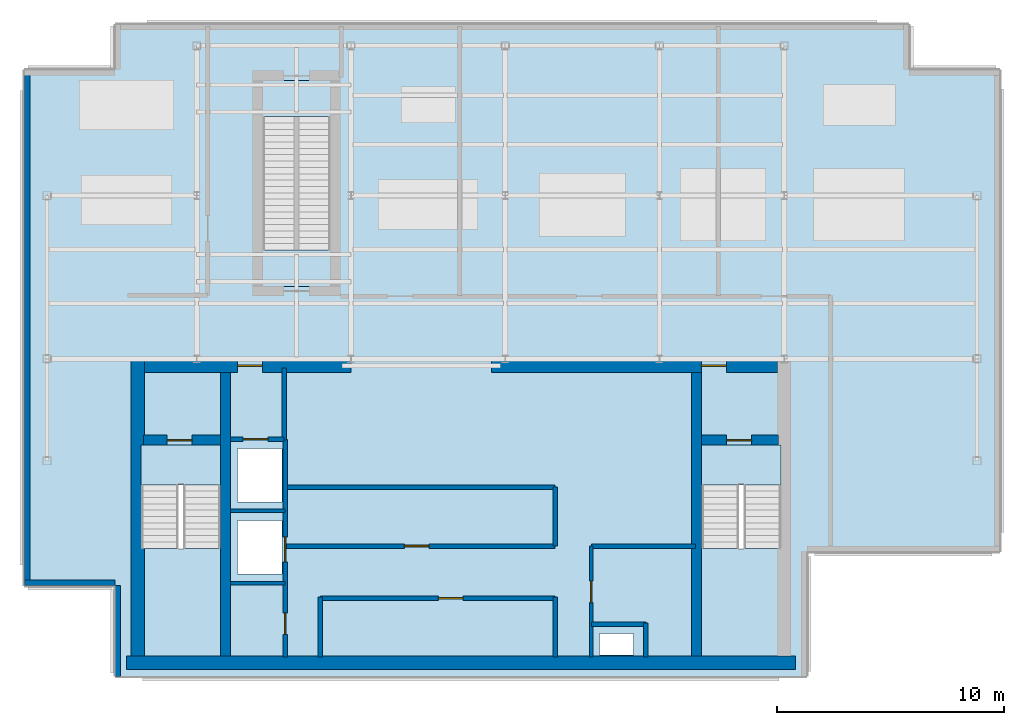
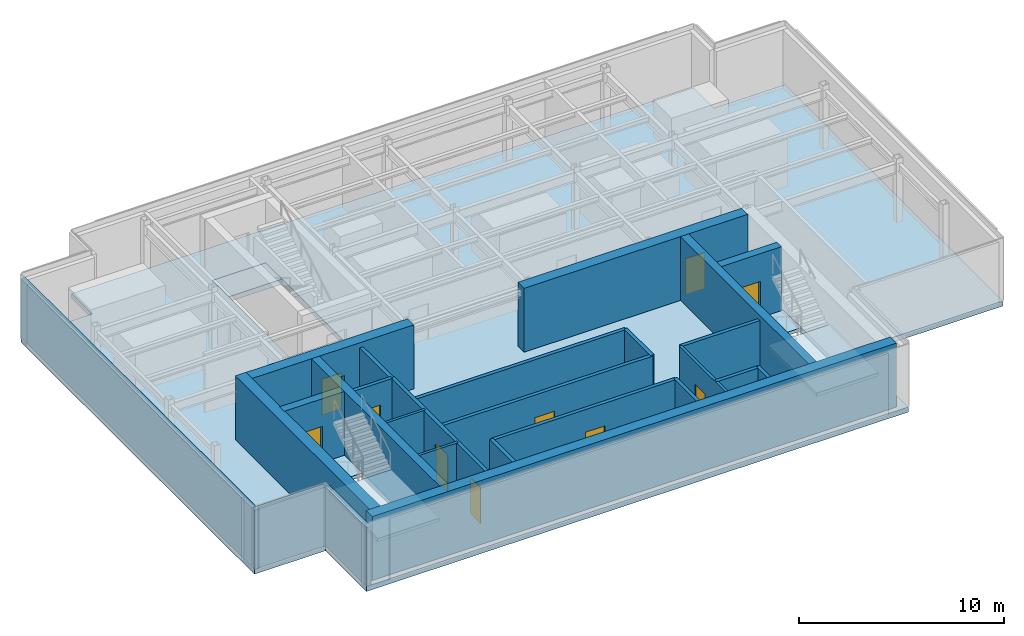
# One storey, part 2 of 7: 26 walls, 10 doors, 7 slabs, 10 openings, 2 elements without a shape of their own.
"""IFC4 building model written with IfcOpenShell, lengths in metres."""

from ifc_helpers import new_model, si_unit, derived_unit, direction, frame, frame_2d, origin, place, context, subcontext, project, spatial, polyline, rectangle, outline, extrude, source, transform, mapped, material, layer, layer_set, type_object, element, fill, aggregate, save


model = new_model("IFC4")

# Units and contexts
model_context = context("Model", 3, precision=1e-05, world=origin(), true_north=direction((0.0, 1.0)))
body_context = subcontext(model_context, "Body", "Model", "MODEL_VIEW")
ifc_project = project(units=[si_unit("LENGTHUNIT", "METRE"), si_unit("AREAUNIT", "SQUARE_METRE"), si_unit("VOLUMEUNIT", "CUBIC_METRE"), si_unit("PLANEANGLEUNIT", "RADIAN"), si_unit("MASSUNIT", "GRAM", prefix="KILO"), derived_unit("THERMALTRANSMITTANCEUNIT", [(si_unit("POWERUNIT", "WATT"), 1), (si_unit("LENGTHUNIT", "METRE"), -2), (si_unit("THERMODYNAMICTEMPERATUREUNIT", "KELVIN"), -1)])], contexts=[model_context])

# Site, building, storey
site_placement = place(None, origin())
site = spatial("IfcSite", under=ifc_project, at=site_placement, CompositionType="ELEMENT")
building_placement = place(site_placement, origin())
building = spatial("IfcBuilding", under=site, at=building_placement, Name="Skarnbrae Concourse Arena and Tower", CompositionType="ELEMENT")
storey_placement = place(building_placement, frame((0.0, 0.0, 303.64990234375)))
storey = spatial("IfcBuildingStorey", under=building, at=storey_placement, Name="L79", CompositionType="ELEMENT", Elevation=303.64990234375)

# Stair, slab
ifc_material_1 = material(Name="Concrete 40 MPa (C40/50)", Category="concrete")
stair_type = type_object("IfcStairType", Name="STAIR-DOGLEG-1650", PredefinedType="HALF_TURN_STAIR", material=ifc_material_1)
stair_1_placement = place(storey_placement, origin())
stair_1 = element("IfcStair", 1, at=stair_1_placement, inside=storey, type_object=stair_type, Name="L79 Protected Exit Stair ST-1", PredefinedType="HALF_TURN_STAIR")
ifc_layer_1 = layer(ifc_material_1, 0.199951171875)
ifc_layer_set_1 = layer_set([ifc_layer_1], Name="Concrete 40 MPa (C40/50)")
slab_type_1 = type_object("IfcSlabType", Name="SLAB-LANDING-200", PredefinedType="LANDING", material=ifc_layer_set_1)
slab_1_placement = place(storey_placement, frame((0.0, 0.0, 1.7001953125)))
slab_1 = element("IfcSlab", 2, at=slab_1_placement, type_object=slab_type_1, Name="ST-1 landing 1", PredefinedType="LANDING", context=body_context, shape_type="SweptSolid", body=[
    extrude(outline(polyline([(5.14990234375, 5.64990234375), (5.14990234375, 0.89990234375), (8.64990234375, 0.89990234375), (8.64990234375, 5.64990234375), (5.14990234375, 5.64990234375)])), origin(), (0.0, 0.0, 1.0), 0.199951171875),
])
aggregate(stair_1, [slab_1])

stair_2_placement = place(storey_placement, origin())
stair_2 = element("IfcStair", 3, at=stair_2_placement, inside=storey, type_object=stair_type, Name="L79 Protected Exit Stair ST-2", PredefinedType="HALF_TURN_STAIR")
slab_2_placement = place(storey_placement, frame((0.0, 0.0, 1.7001953125)))
slab_2 = element("IfcSlab", 4, at=slab_2_placement, type_object=slab_type_1, Name="ST-2 landing 1", PredefinedType="LANDING", context=body_context, shape_type="SweptSolid", body=[
    extrude(outline(polyline([(29.85009765625, 5.64990234375), (29.85009765625, 0.89990234375), (33.35009765625, 0.89990234375), (33.35009765625, 5.64990234375), (29.85009765625, 5.64990234375)])), origin(), (0.0, 0.0, 1.0), 0.199951171875),
])
aggregate(stair_2, [slab_2])

# Slabs
slab_3_placement = place(storey_placement, frame((0.0, 0.0, -0.199951171875)))
element("IfcSlab", 5, at=slab_3_placement, inside=storey, type_object=slab_type_1, Name="L79 Core stair ST1 floor landing", PredefinedType="LANDING", context=body_context, shape_type="SweptSolid", body=[
    extrude(outline(polyline([(5.14990234375, 10.199951171875), (5.14990234375, 8.449951171875), (8.64990234375, 8.449951171875), (8.64990234375, 10.199951171875), (5.14990234375, 10.199951171875)])), origin(), (0.0, 0.0, 1.0), 0.199951171875),
])
slab_4_placement = place(storey_placement, frame((0.0, 0.0, -0.199951171875)))
element("IfcSlab", 6, at=slab_4_placement, inside=storey, type_object=slab_type_1, Name="L79 Core stair ST2 floor landing", PredefinedType="LANDING", context=body_context, shape_type="SweptSolid", body=[
    extrude(outline(polyline([(29.85009765625, 10.199951171875), (29.85009765625, 8.449951171875), (33.35009765625, 8.449951171875), (33.35009765625, 10.199951171875), (29.85009765625, 10.199951171875)])), origin(), (0.0, 0.0, 1.0), 0.199951171875),
])
slab_5_placement = place(storey_placement, frame((0.0, 0.0, -0.2998046875)))
element("IfcSlab", 7, at=slab_5_placement, inside=storey, type_object=slab_type_1, Name="L79 Stair ST-CRWN near floor landing", PredefinedType="LANDING", context=body_context, shape_type="SweptSolid", body=[
    extrude(outline(polyline([(13.5, 17.199951171875), (13.5, 18.800048828125), (10.5, 18.800048828125), (10.5, 17.199951171875), (13.5, 17.199951171875)])), origin(), (0.0, 0.0, 1.0), 0.2998046875),
])
slab_6_placement = place(storey_placement, frame((0.0, 0.0, -0.2998046875)))
element("IfcSlab", 8, at=slab_6_placement, inside=storey, type_object=slab_type_1, Name="L79 Stair ST-CRWN far floor landing", PredefinedType="LANDING", context=body_context, shape_type="SweptSolid", body=[
    extrude(outline(polyline([(13.5, 24.679931640625), (13.5, 26.280029296875), (10.5, 26.280029296875), (10.5, 24.679931640625), (13.5, 24.679931640625)])), origin(), (0.0, 0.0, 1.0), 0.2998046875),
])
ifc_layer_2 = layer(ifc_material_1, 0.300048828125)
ifc_layer_set_2 = layer_set([ifc_layer_2], Name="Concrete 40 MPa (C40/50)")
slab_type_2 = type_object("IfcSlabType", Name="SLAB-PODIUM-300", PredefinedType="FLOOR", material=ifc_layer_set_2)
slab_7_placement = place(storey_placement, frame((0.0, 0.0, -0.2998046875)))
element("IfcSlab", 9, at=slab_7_placement, inside=storey, type_object=slab_type_2, Name="L79 Structural floor slab", PredefinedType="FLOOR", context=body_context, shape_type="SweptSolid", body=[
    extrude(outline(polyline([(4.0, 0.0), (34.5, 0.0), (34.5, 5.5), (43.0, 5.5), (43.0, 26.75), (39.0, 26.75), (39.0, 28.75), (4.0, 28.75), (4.0, 26.75), (0.0, 26.75), (0.0, 4.0), (4.0, 4.0), (4.0, 0.0)]), holes=[polyline([(26.85009765625, 0.949951171875), (25.35009765625, 0.949951171875), (25.35009765625, 1.89990234375), (26.85009765625, 1.89990234375), (26.85009765625, 0.949951171875)]), polyline([(5.14990234375, 10.199951171875), (8.64990234375, 10.199951171875), (8.64990234375, 0.89990234375), (5.14990234375, 0.89990234375), (5.14990234375, 10.199951171875)]), polyline([(29.85009765625, 10.199951171875), (33.35009765625, 10.199951171875), (33.35009765625, 0.89990234375), (29.85009765625, 0.89990234375), (29.85009765625, 10.199951171875)]), polyline([(11.35498046875, 4.52001953125), (9.39501953125, 4.52001953125), (9.39501953125, 6.8798828125), (11.35498046875, 6.8798828125), (11.35498046875, 4.52001953125)]), polyline([(9.39501953125, 7.695068359375), (9.39501953125, 10.054931640625), (11.35498046875, 10.054931640625), (11.35498046875, 7.695068359375), (9.39501953125, 7.695068359375)]), polyline([(13.5, 17.199951171875), (10.5, 17.199951171875), (10.5, 26.280029296875), (13.5, 26.280029296875), (13.5, 17.199951171875)])]), origin(), (0.0, 0.0, 1.0), 0.2998046875),
])

# Walls
ifc_material_2 = material(Name="Concrete 50 MPa (C50/60)", Category="concrete")
ifc_layer_3 = layer(ifc_material_2, 0.60009765625)
ifc_layer_set_3 = layer_set([ifc_layer_3], Name="Concrete 50 MPa (C50/60)")
wall_type_1 = type_object("IfcWallType", Name="WALL-CORE-600-C50", PredefinedType="SHEAR", material=ifc_layer_set_3)
shared_shape_1 = source(origin(), body_context, "Body", "SweptSolid", [
    extrude(rectangle(XDim=29.5, YDim=0.60009765625, at=frame_2d((14.75, 0.0))), origin(), (0.0, 0.0, 1.0), 3.800048828125),
])
wall_1_placement = place(storey_placement, frame((4.5, 0.60009765625, 0.0), z_axis=(0.0, 0.0, 1.0), x_axis=(1.0, 0.0, 0.0)))
element("IfcWall", 10, at=wall_1_placement, inside=storey, type_object=wall_type_1, Name="L79 Rear core shear wall CW-S", PredefinedType="SHEAR", context=body_context, shape_type="MappedRepresentation", body=[
    mapped(shared_shape_1, transform((0.0, 0.0, 0.0))),
])
shared_shape_2 = source(origin(), body_context, "Body", "SweptSolid", [
    extrude(rectangle(XDim=13.10009765625, YDim=0.60009765625, at=frame_2d((6.550048828125, 0.0))), origin(), (0.0, 0.0, 1.0), 3.800048828125),
])
wall_2_placement = place(storey_placement, frame((5.0, 0.89990234375, 0.0), z_axis=(0.0, 0.0, 1.0), x_axis=(0.0, 1.0, 0.0)))
element("IfcWall", 11, at=wall_2_placement, inside=storey, type_object=wall_type_1, Name="L79 Rear core shear wall CW-W", PredefinedType="SHEAR", context=body_context, shape_type="MappedRepresentation", body=[
    mapped(shared_shape_2, transform((0.0, 0.0, 0.0))),
])

# Wall, opening, door
shared_shape_3 = source(origin(), body_context, "Body", "SweptSolid", [
    extrude(rectangle(XDim=9.099853515625, YDim=0.60009765625, at=frame_2d((4.5498046875, 0.0))), origin(), (0.0, 0.0, 1.0), 3.800048828125),
])
wall_3_placement = place(storey_placement, frame((5.300048828125, 13.699951171875, 0.0), z_axis=(0.0, 0.0, 1.0), x_axis=(1.0, 0.0, 0.0)))
wall_3 = element("IfcWall", 12, at=wall_3_placement, inside=storey, type_object=wall_type_1, Name="L79 Rear core shear wall CW-NW", PredefinedType="SHEAR", context=body_context, shape_type="MappedRepresentation", body=[
    mapped(shared_shape_3, transform((0.0, 0.0, 0.0))),
])
opening_1_placement = place(wall_3_placement, frame((4.10009765625, 0.0, 0.0)))
opening_1 = element("IfcOpeningElement", 13, at=opening_1_placement, cuts=wall_3, Name="Opening DT-03", PredefinedType="OPENING", context=body_context, shape_type="SweptSolid", body=[
    extrude(rectangle(XDim=1.10009765625, YDim=2.14990234375, at=frame_2d((0.550048828125, 1.074951171875))), frame((0.0, 0.31005859375, 0.0), z_axis=(0.0, -1.0, 0.0), x_axis=(1.0, 0.0, 0.0)), (0.0, 0.0, 1.0), 0.6201171875),
])
ifc_material_3 = material(Name="Steel CSA G40.21 350W", Category="steel")
door_type_1 = type_object("IfcDoorType", Name="DOOR-FIRE-1100-90M", OperationType="NOTDEFINED", PredefinedType="DOOR", material=ifc_material_3)
shared_shape_4 = source(origin(), body_context, "Body", "SweptSolid", [
    extrude(rectangle(XDim=1.10009765625, YDim=2.14990234375, at=frame_2d((0.550048828125, 1.074951171875))), frame((0.0, 0.02490234375, 0.0), z_axis=(0.0, -1.0, 0.0), x_axis=(1.0, 0.0, 0.0)), (0.0, 0.0, 1.0), 0.050048828125),
])
door_1_placement = place(opening_1_placement, origin())
door_1 = element("IfcDoor", 14, at=door_1_placement, inside=storey, type_object=door_type_1, Name="D-2340 Firefighting Lobby Exit Door", OperationType="SINGLE_SWING_RIGHT", OverallHeight=2.14990234375, OverallWidth=1.10009765625, PredefinedType="DOOR", context=body_context, shape_type="MappedRepresentation", body=[
    mapped(shared_shape_4, transform((0.0, 0.0, 0.0))),
])
fill(opening_1, door_1)

shared_shape_5 = source(origin(), body_context, "Body", "SweptSolid", [
    extrude(rectangle(XDim=12.599853515625, YDim=0.60009765625, at=frame_2d((6.2998046875, 0.0))), origin(), (0.0, 0.0, 1.0), 3.800048828125),
])
wall_4_placement = place(storey_placement, frame((20.60009765625, 13.699951171875, 0.0), z_axis=(0.0, 0.0, 1.0), x_axis=(1.0, 0.0, 0.0)))
wall_4 = element("IfcWall", 15, at=wall_4_placement, inside=storey, type_object=wall_type_1, Name="L79 Rear core shear wall CW-NE", PredefinedType="SHEAR", context=body_context, shape_type="MappedRepresentation", body=[
    mapped(shared_shape_5, transform((0.0, 0.0, 0.0))),
])
opening_2_placement = place(wall_4_placement, frame((9.25, 0.0, 0.0)))
opening_2 = element("IfcOpeningElement", 16, at=opening_2_placement, cuts=wall_4, Name="Opening DT-03", PredefinedType="OPENING", context=body_context, shape_type="SweptSolid", body=[
    extrude(rectangle(XDim=1.10009765625, YDim=2.14990234375, at=frame_2d((0.550048828125, 1.074951171875))), frame((0.0, 0.31005859375, 0.0), z_axis=(0.0, -1.0, 0.0), x_axis=(1.0, 0.0, 0.0)), (0.0, 0.0, 1.0), 0.6201171875),
])
door_2_placement = place(opening_2_placement, origin())
door_2 = element("IfcDoor", 17, at=door_2_placement, inside=storey, type_object=door_type_1, Name="D-2341 Stair ST-2 Vestibule Door", OperationType="SINGLE_SWING_LEFT", OverallHeight=2.14990234375, OverallWidth=1.10009765625, PredefinedType="DOOR", context=body_context, shape_type="MappedRepresentation", body=[
    mapped(shared_shape_4, transform((0.0, 0.0, 0.0))),
])
fill(opening_2, door_2)

# Walls
ifc_layer_4 = layer(ifc_material_2, 0.449951171875)
ifc_layer_set_4 = layer_set([ifc_layer_4], Name="Concrete 50 MPa (C50/60)")
wall_type_2 = type_object("IfcWallType", Name="WALL-CORE-450-C50", PredefinedType="SHEAR", material=ifc_layer_set_4)
shared_shape_6 = source(origin(), body_context, "Body", "SweptSolid", [
    extrude(rectangle(XDim=12.5, YDim=0.449951171875, at=frame_2d((6.25, 0.0))), origin(), (0.0, 0.0, 1.0), 3.800048828125),
])
for number, where, z_axis, x_axis, name in (
    (18, (8.864990234375, 0.89990234375, 0.0), (0.0, 0.0, 1.0), (0.0, 1.0, 0.0), "L79 Rear core shear wall CW-WEB-W"),
    (19, (29.635009765625, 0.89990234375, 0.0), (0.0, 0.0, 1.0), (0.0, 1.0, 0.0), "L79 Rear core shear wall CW-WEB-E"),
):
    element("IfcWall", number, at=place(storey_placement, frame(where, z_axis=z_axis, x_axis=x_axis)), inside=storey, type_object=wall_type_2, Name=name, PredefinedType="SHEAR", context=body_context, shape_type="MappedRepresentation", body=[
        mapped(shared_shape_6, transform((0.0, 0.0, 0.0))),
    ])

# Wall, opening, door
shared_shape_7 = source(origin(), body_context, "Body", "SweptSolid", [
    extrude(rectangle(XDim=3.389892578125, YDim=0.449951171875, at=frame_2d((1.69482421875, 0.0))), origin(), (0.0, 0.0, 1.0), 3.800048828125),
])
wall_5_placement = place(storey_placement, frame((5.25, 10.419921875, 0.0), z_axis=(0.0, 0.0, 1.0), x_axis=(1.0, 0.0, 0.0)))
wall_5 = element("IfcWall", 20, at=wall_5_placement, inside=storey, type_object=wall_type_2, Name="L79 Rear core shear wall CW-ST1-N", PredefinedType="SHEAR", context=body_context, shape_type="MappedRepresentation", body=[
    mapped(shared_shape_7, transform((0.0, 0.0, 0.0))),
])
opening_3_placement = place(wall_5_placement, frame((1.050048828125, 0.0, 0.0)))
opening_3 = element("IfcOpeningElement", 21, at=opening_3_placement, cuts=wall_5, Name="Opening DT-03", PredefinedType="OPENING", context=body_context, shape_type="SweptSolid", body=[
    extrude(rectangle(XDim=1.10009765625, YDim=2.14990234375, at=frame_2d((0.550048828125, 1.074951171875))), frame((0.0, 0.23486328125, 0.0), z_axis=(0.0, -1.0, 0.0), x_axis=(1.0, 0.0, 0.0)), (0.0, 0.0, 1.0), 0.469970703125),
])
door_3_placement = place(opening_3_placement, frame((1.10009765625, 0.0, 0.0), z_axis=(0.0, 0.0, 1.0), x_axis=(-1.0, 0.0, 0.0)))
door_3 = element("IfcDoor", 22, at=door_3_placement, inside=storey, type_object=door_type_1, Name="D-2338 Stair ST-1 Door", OperationType="SINGLE_SWING_LEFT", OverallHeight=2.14990234375, OverallWidth=1.10009765625, PredefinedType="DOOR", context=body_context, shape_type="MappedRepresentation", body=[
    mapped(shared_shape_4, transform((0.0, 0.0, 0.0))),
])
fill(opening_3, door_3)

wall_6_placement = place(storey_placement, frame((29.860107421875, 10.419921875, 0.0), z_axis=(0.0, 0.0, 1.0), x_axis=(1.0, 0.0, 0.0)))
wall_6 = element("IfcWall", 23, at=wall_6_placement, inside=storey, type_object=wall_type_2, Name="L79 Rear core shear wall CW-ST2-N", PredefinedType="SHEAR", context=body_context, shape_type="MappedRepresentation", body=[
    mapped(shared_shape_7, transform((0.0, 0.0, 0.0))),
])
opening_4_placement = place(wall_6_placement, frame((1.10009765625, 0.0, 0.0)))
opening_4 = element("IfcOpeningElement", 24, at=opening_4_placement, cuts=wall_6, Name="Opening DT-03", PredefinedType="OPENING", context=body_context, shape_type="SweptSolid", body=[
    extrude(rectangle(XDim=1.10009765625, YDim=2.14990234375, at=frame_2d((0.550048828125, 1.074951171875))), frame((0.0, 0.23486328125, 0.0), z_axis=(0.0, -1.0, 0.0), x_axis=(1.0, 0.0, 0.0)), (0.0, 0.0, 1.0), 0.469970703125),
])
door_4_placement = place(opening_4_placement, frame((1.10009765625, 0.0, 0.0), z_axis=(0.0, 0.0, 1.0), x_axis=(-1.0, 0.0, 0.0)))
door_4 = element("IfcDoor", 25, at=door_4_placement, inside=storey, type_object=door_type_1, Name="D-2339 Stair ST-2 Door", OperationType="SINGLE_SWING_RIGHT", OverallHeight=2.14990234375, OverallWidth=1.10009765625, PredefinedType="DOOR", context=body_context, shape_type="MappedRepresentation", body=[
    mapped(shared_shape_4, transform((0.0, 0.0, 0.0))),
])
fill(opening_4, door_4)

# Walls
ifc_material_4 = material(Name="Precast concrete 40 MPa (C40/50)", Category="concrete")
ifc_layer_5 = layer(ifc_material_4, 0.25)
ifc_layer_set_5 = layer_set([ifc_layer_5], Name="Precast concrete 40 MPa (C40/50)")
wall_type_3 = type_object("IfcWallType", Name="WALL-CROWN-BRONZE-250", PredefinedType="STANDARD", material=ifc_layer_set_5)
shared_shape_8 = source(origin(), body_context, "Body", "SweptSolid", [
    extrude(rectangle(XDim=4.0, YDim=0.25, at=frame_2d((2.0, 0.0))), origin(), (0.0, 0.0, 1.0), 3.5),
])
for number, where, z_axis, x_axis, name in (
    (26, (0.0, 4.125, 0.0), (0.0, 0.0, 1.0), (1.0, 0.0, 0.0), "L79 Crown enclosure wall 11"),
    (27, (4.125, 4.0, 0.0), (0.0, 0.0, 1.0), (0.0, -1.0, 0.0), "L79 Crown enclosure wall 12"),
):
    element("IfcWall", number, at=place(storey_placement, frame(where, z_axis=z_axis, x_axis=x_axis)), inside=storey, type_object=wall_type_3, Name=name, PredefinedType="STANDARD", context=body_context, shape_type="MappedRepresentation", body=[
        mapped(shared_shape_8, transform((0.0, 0.0, 0.0))),
    ])
shared_shape_9 = source(origin(), body_context, "Body", "SweptSolid", [
    extrude(rectangle(XDim=22.75, YDim=0.25, at=frame_2d((11.375, 0.0))), origin(), (0.0, 0.0, 1.0), 3.5),
])
wall_7_placement = place(storey_placement, frame((0.125, 26.75, 0.0), z_axis=(0.0, 0.0, 1.0), x_axis=(0.0, -1.0, 0.0)))
element("IfcWall", 28, at=wall_7_placement, inside=storey, type_object=wall_type_3, Name="L79 Crown enclosure wall 10", PredefinedType="STANDARD", context=body_context, shape_type="MappedRepresentation", body=[
    mapped(shared_shape_9, transform((0.0, 0.0, 0.0))),
])
ifc_material_5 = material(Name="Gypsum board on cold-formed steel studs", Category="steel")
ifc_layer_6 = layer(ifc_material_5, 0.199951171875)
ifc_layer_set_6 = layer_set([ifc_layer_6], Name="Gypsum board on cold-formed steel studs")
wall_type_4 = type_object("IfcWallType", Name="WALL-PART-200-2HR", PredefinedType="PARTITIONING", material=ifc_layer_set_6)
shared_shape_10 = source(origin(), body_context, "Body", "SweptSolid", [
    extrude(rectangle(XDim=3.18017578125, YDim=0.199951171875, at=frame_2d((1.590087890625, 0.0))), origin(), (0.0, 0.0, 1.0), 3.5),
])
wall_8_placement = place(storey_placement, frame((11.449951171875, 10.419921875, 0.0), z_axis=(0.0, 0.0, 1.0), x_axis=(0.0, 1.0, 0.0)))
element("IfcWall", 29, at=wall_8_placement, inside=storey, type_object=wall_type_4, Name="L79 Interior partition wall W-L79-FFL-E", PredefinedType="PARTITIONING", context=body_context, shape_type="MappedRepresentation", body=[
    mapped(shared_shape_10, transform((0.0, 0.0, 0.0))),
])

# Wall, opening, door
shared_shape_11 = source(origin(), body_context, "Body", "SweptSolid", [
    extrude(rectangle(XDim=2.349853515625, YDim=0.199951171875, at=frame_2d((1.1748046875, 0.0))), origin(), (0.0, 0.0, 1.0), 3.5),
])
wall_9_placement = place(storey_placement, frame((9.10009765625, 10.449951171875, 0.0), z_axis=(0.0, 0.0, 1.0), x_axis=(1.0, 0.0, 0.0)))
wall_9 = element("IfcWall", 30, at=wall_9_placement, inside=storey, type_object=wall_type_4, Name="L79 Interior partition wall W-L79-FL1-N", PredefinedType="PARTITIONING", context=body_context, shape_type="MappedRepresentation", body=[
    mapped(shared_shape_11, transform((0.0, 0.0, 0.0))),
])
opening_5_placement = place(wall_9_placement, frame((0.550048828125, 0.0, 0.0)))
opening_5 = element("IfcOpeningElement", 31, at=opening_5_placement, cuts=wall_9, Name="Opening LD-01", PredefinedType="OPENING", context=body_context, shape_type="SweptSolid", body=[
    extrude(rectangle(XDim=1.10009765625, YDim=2.14990234375, at=frame_2d((0.550048828125, 1.074951171875))), frame((0.0, 0.10986328125, 0.0), z_axis=(0.0, -1.0, 0.0), x_axis=(1.0, 0.0, 0.0)), (0.0, 0.0, 1.0), 0.219970703125),
])
door_type_2 = type_object("IfcDoorType", Name="DOOR-LIFT-SLIDE-1100", OperationType="SLIDING_TO_LEFT", PredefinedType="DOOR", material=ifc_material_3)
door_5_placement = place(opening_5_placement, origin())
door_5 = element("IfcDoor", 32, at=door_5_placement, inside=storey, type_object=door_type_2, Name="D-2342 Firefighting Lift Landing Door FL-01", OperationType="SLIDING_TO_LEFT", OverallHeight=2.14990234375, OverallWidth=1.10009765625, PredefinedType="DOOR", context=body_context, shape_type="MappedRepresentation", body=[
    mapped(shared_shape_4, transform((0.0, 0.0, 0.0))),
])
fill(opening_5, door_5)

# Wall, openings, doors
shared_shape_12 = source(origin(), body_context, "Body", "SweptSolid", [
    extrude(rectangle(XDim=9.599853515625, YDim=0.199951171875, at=frame_2d((4.7998046875, 0.0))), origin(), (0.0, 0.0, 1.0), 3.5),
])
wall_10_placement = place(storey_placement, frame((11.5, 0.85009765625, 0.0), z_axis=(0.0, 0.0, 1.0), x_axis=(0.0, 1.0, 0.0)))
wall_10 = element("IfcWall", 33, at=wall_10_placement, inside=storey, type_object=wall_type_4, Name="L79 Interior partition wall W-L79-FL-E", PredefinedType="PARTITIONING", context=body_context, shape_type="MappedRepresentation", body=[
    mapped(shared_shape_12, transform((0.0, 0.0, 0.0))),
])
opening_6_placement = place(wall_10_placement, frame((4.199951171875, 0.0, 0.0)))
opening_6 = element("IfcOpeningElement", 34, at=opening_6_placement, cuts=wall_10, Name="Opening LD-01", PredefinedType="OPENING", context=body_context, shape_type="SweptSolid", body=[
    extrude(rectangle(XDim=1.10009765625, YDim=2.14990234375, at=frame_2d((0.550048828125, 1.074951171875))), frame((0.0, 0.10986328125, 0.0), z_axis=(0.0, -1.0, 0.0), x_axis=(1.0, 0.0, 0.0)), (0.0, 0.0, 1.0), 0.219970703125),
])
opening_7_placement = place(wall_10_placement, frame((1.0, 0.0, 0.0)))
opening_7 = element("IfcOpeningElement", 35, at=opening_7_placement, cuts=wall_10, Name="Opening DT-04", PredefinedType="OPENING", context=body_context, shape_type="SweptSolid", body=[
    extrude(rectangle(XDim=0.949951171875, YDim=2.14990234375, at=frame_2d((0.47509765625, 1.074951171875))), frame((0.0, 0.10986328125, 0.0), z_axis=(0.0, -1.0, 0.0), x_axis=(1.0, 0.0, 0.0)), (0.0, 0.0, 1.0), 0.219970703125),
])
door_6_placement = place(opening_6_placement, frame((1.10009765625, 0.0, 0.0), z_axis=(0.0, 0.0, 1.0), x_axis=(-1.0, 0.0, 0.0)))
door_6 = element("IfcDoor", 36, at=door_6_placement, inside=storey, type_object=door_type_2, Name="D-2343 Firefighting Lift Landing Door FL-02", OperationType="SLIDING_TO_LEFT", OverallHeight=2.14990234375, OverallWidth=1.10009765625, PredefinedType="DOOR", context=body_context, shape_type="MappedRepresentation", body=[
    mapped(shared_shape_4, transform((0.0, 0.0, 0.0))),
])
fill(opening_6, door_6)
door_type_3 = type_object("IfcDoorType", Name="DOOR-INT-950-45M", OperationType="NOTDEFINED", PredefinedType="DOOR", material=ifc_material_3)
shared_shape_13 = source(origin(), body_context, "Body", "SweptSolid", [
    extrude(rectangle(XDim=0.949951171875, YDim=2.14990234375, at=frame_2d((0.47509765625, 1.074951171875))), frame((0.0, 0.02490234375, 0.0), z_axis=(0.0, -1.0, 0.0), x_axis=(1.0, 0.0, 0.0)), (0.0, 0.0, 1.0), 0.050048828125),
])
door_7_placement = place(opening_7_placement, frame((0.949951171875, 0.0, 0.0), z_axis=(0.0, 0.0, 1.0), x_axis=(-1.0, 0.0, 0.0)))
door_7 = element("IfcDoor", 37, at=door_7_placement, inside=storey, type_object=door_type_3, Name="D-2344 Crown Exhaust Plant Door", OperationType="SINGLE_SWING_RIGHT", OverallHeight=2.14990234375, OverallWidth=0.949951171875, PredefinedType="DOOR", context=body_context, shape_type="MappedRepresentation", body=[
    mapped(shared_shape_13, transform((0.0, 0.0, 0.0))),
])
fill(opening_7, door_7)

# Walls
ifc_layer_7 = layer(ifc_material_5, 0.14990234375)
ifc_layer_set_7 = layer_set([ifc_layer_7], Name="Gypsum board on cold-formed steel studs")
wall_type_5 = type_object("IfcWallType", Name="WALL-PART-150", PredefinedType="PARTITIONING", material=ifc_layer_set_7)
shared_shape_14 = source(origin(), body_context, "Body", "SweptSolid", [
    extrude(rectangle(XDim=2.39990234375, YDim=0.14990234375, at=frame_2d((1.199951171875, 0.0))), origin(), (0.0, 0.0, 1.0), 3.5),
])
for number, where, z_axis, x_axis, name in (
    (38, (9.10009765625, 4.10009765625, 0.0), (0.0, 0.0, 1.0), (1.0, 0.0, 0.0), "L79 Interior partition wall W-L79-FL-D1"),
    (39, (9.10009765625, 7.300048828125, 0.0), (0.0, 0.0, 1.0), (1.0, 0.0, 0.0), "L79 Interior partition wall W-L79-FL-D2"),
):
    element("IfcWall", number, at=place(storey_placement, frame(where, z_axis=z_axis, x_axis=x_axis)), inside=storey, type_object=wall_type_5, Name=name, PredefinedType="PARTITIONING", context=body_context, shape_type="MappedRepresentation", body=[
        mapped(shared_shape_14, transform((0.0, 0.0, 0.0))),
    ])
shared_shape_15 = source(origin(), body_context, "Body", "SweptSolid", [
    extrude(rectangle(XDim=2.64990234375, YDim=0.199951171875, at=frame_2d((1.324951171875, 0.0))), origin(), (0.0, 0.0, 1.0), 3.5),
])
for number, where, z_axis, x_axis, name in (
    (40, (13.050048828125, 0.85009765625, 0.0), (0.0, 0.0, 1.0), (0.0, 1.0, 0.0), "L79 Interior partition wall W-L79-B1B-W"),
    (41, (23.39990234375, 0.85009765625, 0.0), (0.0, 0.0, 1.0), (0.0, 1.0, 0.0), "L79 Interior partition wall W-L79-B1B-E"),
):
    element("IfcWall", number, at=place(storey_placement, frame(where, z_axis=z_axis, x_axis=x_axis)), inside=storey, type_object=wall_type_4, Name=name, PredefinedType="PARTITIONING", context=body_context, shape_type="MappedRepresentation", body=[
        mapped(shared_shape_15, transform((0.0, 0.0, 0.0))),
    ])

# Wall, opening, door
shared_shape_16 = source(origin(), body_context, "Body", "SweptSolid", [
    extrude(rectangle(XDim=10.349853515625, YDim=0.199951171875, at=frame_2d((5.1748046875, 0.0))), origin(), (0.0, 0.0, 1.0), 3.5),
])
wall_11_placement = place(storey_placement, frame((13.050048828125, 3.449951171875, 0.0), z_axis=(0.0, 0.0, 1.0), x_axis=(1.0, 0.0, 0.0)))
wall_11 = element("IfcWall", 42, at=wall_11_placement, inside=storey, type_object=wall_type_4, Name="L79 Interior partition wall W-L79-B1B-N", PredefinedType="PARTITIONING", context=body_context, shape_type="MappedRepresentation", body=[
    mapped(shared_shape_16, transform((0.0, 0.0, 0.0))),
])
opening_8_placement = place(wall_11_placement, frame((5.199951171875, 0.0, 0.0)))
opening_8 = element("IfcOpeningElement", 43, at=opening_8_placement, cuts=wall_11, Name="Opening DT-03", PredefinedType="OPENING", context=body_context, shape_type="SweptSolid", body=[
    extrude(rectangle(XDim=1.10009765625, YDim=2.14990234375, at=frame_2d((0.550048828125, 1.074951171875))), frame((0.0, 0.10986328125, 0.0), z_axis=(0.0, -1.0, 0.0), x_axis=(1.0, 0.0, 0.0)), (0.0, 0.0, 1.0), 0.219970703125),
])
door_8_placement = place(opening_8_placement, origin())
door_8 = element("IfcDoor", 44, at=door_8_placement, inside=storey, type_object=door_type_1, Name="D-2345 Core Plant Door", OperationType="SINGLE_SWING_LEFT", OverallHeight=2.14990234375, OverallWidth=1.10009765625, PredefinedType="DOOR", context=body_context, shape_type="MappedRepresentation", body=[
    mapped(shared_shape_4, transform((0.0, 0.0, 0.0))),
])
fill(opening_8, door_8)

shared_shape_17 = source(origin(), body_context, "Body", "SweptSolid", [
    extrude(rectangle(XDim=11.849853515625, YDim=0.199951171875, at=frame_2d((5.9248046875, 0.0))), origin(), (0.0, 0.0, 1.0), 3.5),
])
wall_12_placement = place(storey_placement, frame((11.550048828125, 5.75, 0.0), z_axis=(0.0, 0.0, 1.0), x_axis=(1.0, 0.0, 0.0)))
wall_12 = element("IfcWall", 45, at=wall_12_placement, inside=storey, type_object=wall_type_4, Name="L79 Interior partition wall W-L79-B2B-S", PredefinedType="PARTITIONING", context=body_context, shape_type="MappedRepresentation", body=[
    mapped(shared_shape_17, transform((0.0, 0.0, 0.0))),
])
opening_9_placement = place(wall_12_placement, frame((5.199951171875, 0.0, 0.0)))
opening_9 = element("IfcOpeningElement", 46, at=opening_9_placement, cuts=wall_12, Name="Opening DT-03", PredefinedType="OPENING", context=body_context, shape_type="SweptSolid", body=[
    extrude(rectangle(XDim=1.10009765625, YDim=2.14990234375, at=frame_2d((0.550048828125, 1.074951171875))), frame((0.0, 0.10986328125, 0.0), z_axis=(0.0, -1.0, 0.0), x_axis=(1.0, 0.0, 0.0)), (0.0, 0.0, 1.0), 0.219970703125),
])
door_9_placement = place(opening_9_placement, frame((1.10009765625, 0.0, 0.0), z_axis=(0.0, 0.0, 1.0), x_axis=(-1.0, 0.0, 0.0)))
door_9 = element("IfcDoor", 47, at=door_9_placement, inside=storey, type_object=door_type_1, Name="D-2346 Core Machine Room Door", OperationType="SINGLE_SWING_RIGHT", OverallHeight=2.14990234375, OverallWidth=1.10009765625, PredefinedType="DOOR", context=body_context, shape_type="MappedRepresentation", body=[
    mapped(shared_shape_4, transform((0.0, 0.0, 0.0))),
])
fill(opening_9, door_9)

# Walls
wall_13_placement = place(storey_placement, frame((11.550048828125, 8.35009765625, 0.0), z_axis=(0.0, 0.0, 1.0), x_axis=(1.0, 0.0, 0.0)))
element("IfcWall", 48, at=wall_13_placement, inside=storey, type_object=wall_type_4, Name="L79 Interior partition wall W-L79-B2B-N", PredefinedType="PARTITIONING", context=body_context, shape_type="MappedRepresentation", body=[
    mapped(shared_shape_17, transform((0.0, 0.0, 0.0))),
])
shared_shape_18 = source(origin(), body_context, "Body", "SweptSolid", [
    extrude(rectangle(XDim=2.60009765625, YDim=0.199951171875, at=frame_2d((1.300048828125, 0.0))), origin(), (0.0, 0.0, 1.0), 3.5),
])
wall_14_placement = place(storey_placement, frame((23.39990234375, 5.75, 0.0), z_axis=(0.0, 0.0, 1.0), x_axis=(0.0, 1.0, 0.0)))
element("IfcWall", 49, at=wall_14_placement, inside=storey, type_object=wall_type_4, Name="L79 Interior partition wall W-L79-B2B-E", PredefinedType="PARTITIONING", context=body_context, shape_type="MappedRepresentation", body=[
    mapped(shared_shape_18, transform((0.0, 0.0, 0.0))),
])

# Wall, opening, door
ifc_layer_8 = layer(ifc_material_5, 0.14990234375)
ifc_layer_set_8 = layer_set([ifc_layer_8], Name="Gypsum board on cold-formed steel studs")
wall_type_6 = type_object("IfcWallType", Name="WALL-PART-150-1HR", PredefinedType="PARTITIONING", material=ifc_layer_set_8)
shared_shape_19 = source(origin(), body_context, "Body", "SweptSolid", [
    extrude(rectangle(XDim=4.89990234375, YDim=0.14990234375, at=frame_2d((2.449951171875, 0.0))), origin(), (0.0, 0.0, 1.0), 3.5),
])
wall_15_placement = place(storey_placement, frame((25.0, 0.85009765625, 0.0), z_axis=(0.0, 0.0, 1.0), x_axis=(0.0, 1.0, 0.0)))
wall_15 = element("IfcWall", 50, at=wall_15_placement, inside=storey, type_object=wall_type_6, Name="L79 Interior partition wall W-L79-CSV-W", PredefinedType="PARTITIONING", context=body_context, shape_type="MappedRepresentation", body=[
    mapped(shared_shape_19, transform((0.0, 0.0, 0.0))),
])
opening_10_placement = place(wall_15_placement, frame((2.39990234375, 0.0, 0.0)))
opening_10 = element("IfcOpeningElement", 51, at=opening_10_placement, cuts=wall_15, Name="Opening DT-04", PredefinedType="OPENING", context=body_context, shape_type="SweptSolid", body=[
    extrude(rectangle(XDim=0.949951171875, YDim=2.14990234375, at=frame_2d((0.47509765625, 1.074951171875))), frame((0.0, 0.0849609375, 0.0), z_axis=(0.0, -1.0, 0.0), x_axis=(1.0, 0.0, 0.0)), (0.0, 0.0, 1.0), 0.169921875),
])
door_10_placement = place(opening_10_placement, origin())
door_10 = element("IfcDoor", 52, at=door_10_placement, inside=storey, type_object=door_type_3, Name="D-2347 Core Riser Plant Door", OperationType="SINGLE_SWING_LEFT", OverallHeight=2.14990234375, OverallWidth=0.949951171875, PredefinedType="DOOR", context=body_context, shape_type="MappedRepresentation", body=[
    mapped(shared_shape_13, transform((0.0, 0.0, 0.0))),
])
fill(opening_10, door_10)

# Walls
shared_shape_20 = source(origin(), body_context, "Body", "SweptSolid", [
    extrude(rectangle(XDim=2.39990234375, YDim=0.199951171875, at=frame_2d((1.199951171875, 0.0))), origin(), (0.0, 0.0, 1.0), 3.5),
])
wall_16_placement = place(storey_placement, frame((25.0, 2.300048828125, 0.0), z_axis=(0.0, 0.0, 1.0), x_axis=(1.0, 0.0, 0.0)))
element("IfcWall", 53, at=wall_16_placement, inside=storey, type_object=wall_type_4, Name="L79 Interior partition wall W-L79-MEP-N", PredefinedType="PARTITIONING", context=body_context, shape_type="MappedRepresentation", body=[
    mapped(shared_shape_20, transform((0.0, 0.0, 0.0))),
])
shared_shape_21 = source(origin(), body_context, "Body", "SweptSolid", [
    extrude(rectangle(XDim=1.5, YDim=0.199951171875, at=frame_2d((0.75, 0.0))), origin(), (0.0, 0.0, 1.0), 3.5),
])
wall_17_placement = place(storey_placement, frame((27.39990234375, 0.85009765625, 0.0), z_axis=(0.0, 0.0, 1.0), x_axis=(0.0, 1.0, 0.0)))
element("IfcWall", 54, at=wall_17_placement, inside=storey, type_object=wall_type_4, Name="L79 Interior partition wall W-L79-MEP-E", PredefinedType="PARTITIONING", context=body_context, shape_type="MappedRepresentation", body=[
    mapped(shared_shape_21, transform((0.0, 0.0, 0.0))),
])
shared_shape_22 = source(origin(), body_context, "Body", "SweptSolid", [
    extrude(rectangle(XDim=4.60009765625, YDim=0.199951171875, at=frame_2d((2.300048828125, 0.0))), origin(), (0.0, 0.0, 1.0), 3.5),
])
wall_18_placement = place(storey_placement, frame((25.0, 5.75, 0.0), z_axis=(0.0, 0.0, 1.0), x_axis=(1.0, 0.0, 0.0)))
element("IfcWall", 55, at=wall_18_placement, inside=storey, type_object=wall_type_4, Name="L79 Interior partition wall W-L79-CSV-N", PredefinedType="PARTITIONING", context=body_context, shape_type="MappedRepresentation", body=[
    mapped(shared_shape_22, transform((0.0, 0.0, 0.0))),
])

save(model, "model.ifc")
